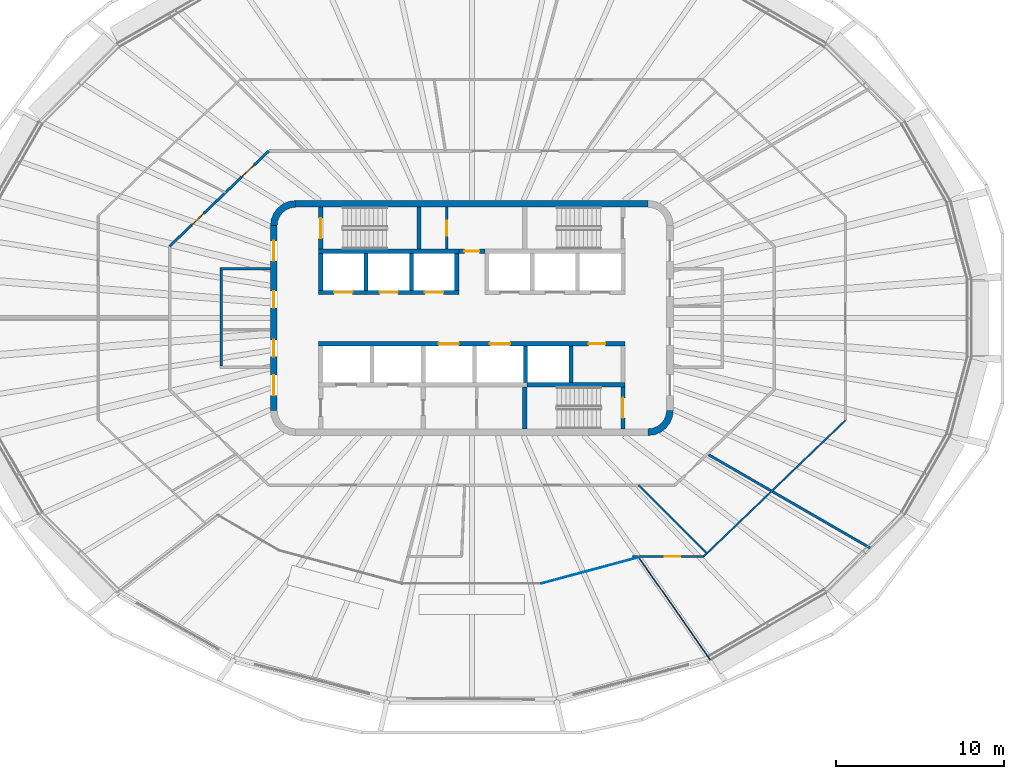
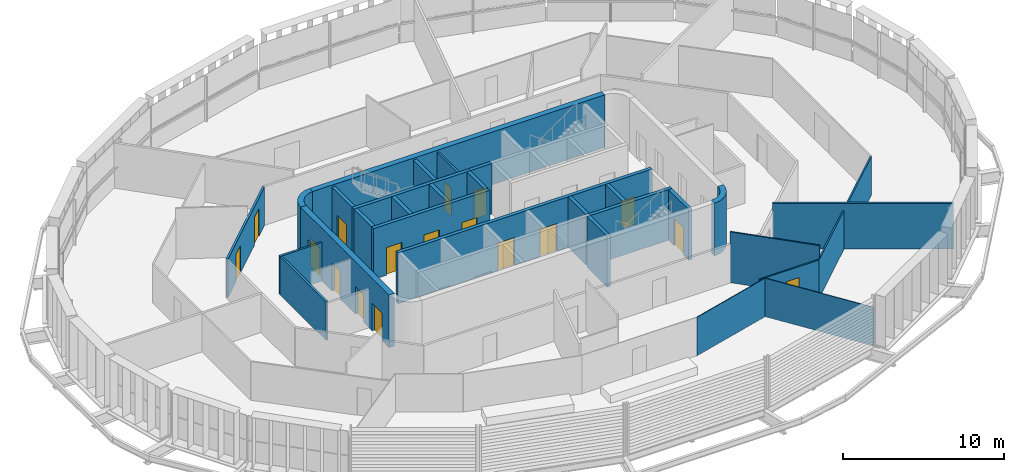
# One storey, part 11 of 20: 29 walls, 17 doors, 17 openings.
"""IFC4 building model written with IfcOpenShell, lengths in metres."""

from ifc_helpers import new_model, si_unit, direction, frame, frame_2d, origin, place, context, subcontext, project, spatial, polyline, rectangle, outline, extrude, material, layer, layer_set, type_object, element, fill, save


model = new_model("IFC4")

# Units and contexts
model_context = context("Model", 3, precision=1e-05, world=origin(), true_north=direction((0.0, 1.0)))
body_context = subcontext(model_context, "Body", "Model", "MODEL_VIEW")
ifc_project = project(units=[si_unit("LENGTHUNIT", "METRE"), si_unit("AREAUNIT", "SQUARE_METRE"), si_unit("VOLUMEUNIT", "CUBIC_METRE"), si_unit("PLANEANGLEUNIT", "RADIAN"), si_unit("MASSUNIT", "GRAM", prefix="KILO")], contexts=[model_context])

# Site, building, storey
site_placement = place(None, origin())
site = spatial("IfcSite", under=ifc_project, at=site_placement, CompositionType="ELEMENT")
building_placement = place(site_placement, origin())
building = spatial("IfcBuilding", under=site, at=building_placement, Name="Sahrelin Media Tower", CompositionType="ELEMENT")
storey_placement = place(building_placement, frame((0.0, 0.0, 271.0)))
storey = spatial("IfcBuildingStorey", under=building, at=storey_placement, Name="L59", CompositionType="ELEMENT", Elevation=271.0)

# Wall
ifc_material_1 = material(Name="Concrete C60/75", Category="concrete")
ifc_layer_1 = layer(ifc_material_1, 0.39990234375)
ifc_layer_set_1 = layer_set([ifc_layer_1], Name="Core wall 400")
wall_type_1 = type_object("IfcWallType", Name="Core wall 400", PredefinedType="SHEAR", material=ifc_layer_set_1)
wall_1_placement = place(storey_placement, frame((-10.5, 6.800048828125, 0.0), z_axis=(0.0, 0.0, 1.0), x_axis=(1.0, 0.0, 0.0)))
element("IfcWall", 1, at=wall_1_placement, inside=storey, type_object=wall_type_1, Name="Core wall N L59", PredefinedType="SHEAR", context=body_context, shape_type="SweptSolid", body=[
    extrude(rectangle(XDim=21.0, YDim=0.39990234375, at=frame_2d((10.5, 0.0))), origin(), (0.0, 0.0, 1.0), 4.0),
])

# Wall, openings, doors
wall_2_placement = place(storey_placement, frame((-11.800048828125, -5.5, 0.0), z_axis=(0.0, 0.0, 1.0), x_axis=(0.0, 1.0, 0.0)))
wall_2 = element("IfcWall", 2, at=wall_2_placement, inside=storey, type_object=wall_type_1, Name="Core wall W L59", PredefinedType="SHEAR", context=body_context, shape_type="SweptSolid", body=[
    extrude(rectangle(XDim=11.0, YDim=0.39990234375, at=frame_2d((5.5, 0.0))), origin(), (0.0, 0.0, 1.0), 4.0),
])
opening_1_placement = place(wall_2_placement, frame((3.199951171875, 0.0, 0.0)))
opening_1 = element("IfcOpeningElement", 3, at=opening_1_placement, cuts=wall_2, Name="Opening L59-D10", PredefinedType="OPENING", context=body_context, shape_type="SweptSolid", body=[
    extrude(rectangle(XDim=1.0, YDim=2.10009765625, at=frame_2d((0.5, 1.050048828125))), frame((0.0, 0.199951171875, 0.0), z_axis=(0.0, -1.0, 0.0), x_axis=(1.0, 0.0, 0.0)), (0.0, 0.0, 1.0), 0.39990234375),
])
opening_2_placement = place(wall_2_placement, frame((6.10009765625, 0.0, 0.0)))
opening_2 = element("IfcOpeningElement", 4, at=opening_2_placement, cuts=wall_2, Name="Opening L59-D11", PredefinedType="OPENING", context=body_context, shape_type="SweptSolid", body=[
    extrude(rectangle(XDim=1.0, YDim=2.10009765625, at=frame_2d((0.5, 1.050048828125))), frame((0.0, 0.199951171875, 0.0), z_axis=(0.0, -1.0, 0.0), x_axis=(1.0, 0.0, 0.0)), (0.0, 0.0, 1.0), 0.39990234375),
])
opening_3_placement = place(wall_2_placement, frame((0.89990234375, 0.0, 0.0)))
opening_3 = element("IfcOpeningElement", 5, at=opening_3_placement, cuts=wall_2, Name="Opening L59-D14", PredefinedType="OPENING", context=body_context, shape_type="SweptSolid", body=[
    extrude(rectangle(XDim=1.199951171875, YDim=2.10009765625, at=frame_2d((0.60009765625, 1.050048828125))), frame((0.0, 0.199951171875, 0.0), z_axis=(0.0, -1.0, 0.0), x_axis=(1.0, 0.0, 0.0)), (0.0, 0.0, 1.0), 0.39990234375),
])
opening_4_placement = place(wall_2_placement, frame((8.89990234375, 0.0, 0.0)))
opening_4 = element("IfcOpeningElement", 6, at=opening_4_placement, cuts=wall_2, Name="Opening L59-D15", PredefinedType="OPENING", context=body_context, shape_type="SweptSolid", body=[
    extrude(rectangle(XDim=1.199951171875, YDim=2.10009765625, at=frame_2d((0.60009765625, 1.050048828125))), frame((0.0, 0.199951171875, 0.0), z_axis=(0.0, -1.0, 0.0), x_axis=(1.0, 0.0, 0.0)), (0.0, 0.0, 1.0), 0.39990234375),
])
ifc_material_2 = material(Name="Steel fire door leaf", Category="steel")
door_type_1 = type_object("IfcDoorType", Name="Fire door 1000 x 2100 EI 60", OperationType="NOTDEFINED", PredefinedType="DOOR", material=ifc_material_2)
door_1_placement = place(opening_1_placement, origin())
door_1 = element("IfcDoor", 7, at=door_1_placement, inside=storey, type_object=door_type_1, Name="Core room door", OperationType="SINGLE_SWING_RIGHT", OverallHeight=2.10009765625, OverallWidth=1.0, PredefinedType="DOOR", context=body_context, shape_type="SweptSolid", body=[
    extrude(rectangle(XDim=1.0, YDim=2.10009765625, at=frame_2d((0.5, 1.050048828125))), frame((0.0, 0.02490234375, 0.0), z_axis=(0.0, -1.0, 0.0), x_axis=(1.0, 0.0, 0.0)), (0.0, 0.0, 1.0), 0.050048828125),
])
fill(opening_1, door_1)
door_2_placement = place(opening_2_placement, origin())
door_2 = element("IfcDoor", 8, at=door_2_placement, inside=storey, type_object=door_type_1, Name="Core room door", OperationType="SINGLE_SWING_RIGHT", OverallHeight=2.10009765625, OverallWidth=1.0, PredefinedType="DOOR", context=body_context, shape_type="SweptSolid", body=[
    extrude(rectangle(XDim=1.0, YDim=2.10009765625, at=frame_2d((0.5, 1.050048828125))), frame((0.0, 0.02490234375, 0.0), z_axis=(0.0, -1.0, 0.0), x_axis=(1.0, 0.0, 0.0)), (0.0, 0.0, 1.0), 0.050048828125),
])
fill(opening_2, door_2)
door_type_2 = type_object("IfcDoorType", Name="Lobby door 1200 x 2100 EI 60", OperationType="NOTDEFINED", PredefinedType="DOOR", material=ifc_material_2)
door_3_placement = place(opening_3_placement, origin())
door_3 = element("IfcDoor", 9, at=door_3_placement, inside=storey, type_object=door_type_2, Name="Lobby door", OperationType="SINGLE_SWING_LEFT", OverallHeight=2.10009765625, OverallWidth=1.199951171875, PredefinedType="DOOR", context=body_context, shape_type="SweptSolid", body=[
    extrude(rectangle(XDim=1.199951171875, YDim=2.10009765625, at=frame_2d((0.60009765625, 1.050048828125))), frame((0.0, 0.02490234375, 0.0), z_axis=(0.0, -1.0, 0.0), x_axis=(1.0, 0.0, 0.0)), (0.0, 0.0, 1.0), 0.050048828125),
])
fill(opening_3, door_3)
door_4_placement = place(opening_4_placement, origin())
door_4 = element("IfcDoor", 10, at=door_4_placement, inside=storey, type_object=door_type_2, Name="Lobby door", OperationType="SINGLE_SWING_LEFT", OverallHeight=2.10009765625, OverallWidth=1.199951171875, PredefinedType="DOOR", context=body_context, shape_type="SweptSolid", body=[
    extrude(rectangle(XDim=1.199951171875, YDim=2.10009765625, at=frame_2d((0.60009765625, 1.050048828125))), frame((0.0, 0.02490234375, 0.0), z_axis=(0.0, -1.0, 0.0), x_axis=(1.0, 0.0, 0.0)), (0.0, 0.0, 1.0), 0.050048828125),
])
fill(opening_4, door_4)

# Walls
placement = place(storey_placement, origin())
element("IfcWall", 11, at=placement, inside=storey, type_object=wall_type_1, Name="Core wall corner NW L59", PredefinedType="SHEAR", context=body_context, shape_type="SweptSolid", body=[
    extrude(outline(polyline([(-12.0, 5.5), (-11.596435546875, 5.5), (-11.55908203125, 5.78369140625), (-11.44970703125, 6.04833984375), (-11.275390625, 6.275390625), (-11.04833984375, 6.44970703125), (-10.78369140625, 6.55908203125), (-10.5, 6.596435546875), (-10.5, 7.0), (-10.88818359375, 6.948974609375), (-11.25, 6.799072265625), (-11.560791015625, 6.560791015625), (-11.799072265625, 6.25), (-11.948974609375, 5.88818359375), (-12.0, 5.5)])), origin(), (0.0, 0.0, 1.0), 4.0),
])
element("IfcWall", 12, at=placement, inside=storey, type_object=wall_type_1, Name="Core wall corner SE L59", PredefinedType="SHEAR", context=body_context, shape_type="SweptSolid", body=[
    extrude(outline(polyline([(12.0, -5.5), (11.596435546875, -5.5), (11.55908203125, -5.78369140625), (11.44970703125, -6.04833984375), (11.275390625, -6.275390625), (11.04833984375, -6.44970703125), (10.78369140625, -6.55908203125), (10.5, -6.596435546875), (10.5, -7.0), (10.88818359375, -6.948974609375), (11.25, -6.799072265625), (11.560791015625, -6.560791015625), (11.799072265625, -6.25), (11.948974609375, -5.88818359375), (12.0, -5.5)])), origin(), (0.0, 0.0, 1.0), 4.0),
])

# Wall, opening, door
ifc_material_3 = material(Name="Fire-rated gypsum board partition")
ifc_layer_2 = layer(ifc_material_3, 0.25)
ifc_layer_set_2 = layer_set([ifc_layer_2], Name="Fire-rated lobby wall 250")
wall_type_2 = type_object("IfcWallType", Name="Fire-rated lobby wall 250", PredefinedType="PARTITIONING", material=ifc_layer_set_2)
wall_5_placement = place(storey_placement, frame((-0.77490234375, 3.97509765625, 0.0), z_axis=(0.0, 0.0, 1.0), x_axis=(1.0, 0.0, 0.0)))
wall_5 = element("IfcWall", 13, at=wall_5_placement, inside=storey, type_object=wall_type_2, Name="Core lobby wall", PredefinedType="PARTITIONING", context=body_context, shape_type="SweptSolid", body=[
    extrude(rectangle(XDim=1.5498046875, YDim=0.25, at=frame_2d((0.77490234375, 0.0))), origin(), (0.0, 0.0, 1.0), 3.85009765625),
])
opening_5_placement = place(wall_5_placement, frame((0.324951171875, 0.0, 0.0)))
opening_5 = element("IfcOpeningElement", 14, at=opening_5_placement, cuts=wall_5, Name="Opening L59-D06", PredefinedType="OPENING", context=body_context, shape_type="SweptSolid", body=[
    extrude(rectangle(XDim=0.89990234375, YDim=2.10009765625, at=frame_2d((0.449951171875, 1.050048828125))), frame((0.0, 0.125, 0.0), z_axis=(0.0, -1.0, 0.0), x_axis=(1.0, 0.0, 0.0)), (0.0, 0.0, 1.0), 0.25),
])
door_type_3 = type_object("IfcDoorType", Name="Riser door 900 x 2100 EI 120", OperationType="NOTDEFINED", PredefinedType="DOOR", material=ifc_material_2)
door_5_placement = place(opening_5_placement, origin())
door_5 = element("IfcDoor", 15, at=door_5_placement, inside=storey, type_object=door_type_3, Name="Core room door", OperationType="SINGLE_SWING_LEFT", OverallHeight=2.10009765625, OverallWidth=0.89990234375, PredefinedType="DOOR", context=body_context, shape_type="SweptSolid", body=[
    extrude(rectangle(XDim=0.89990234375, YDim=2.10009765625, at=frame_2d((0.449951171875, 1.050048828125))), frame((0.0, 0.02490234375, 0.0), z_axis=(0.0, -1.0, 0.0), x_axis=(1.0, 0.0, 0.0)), (0.0, 0.0, 1.0), 0.050048828125),
])
fill(opening_5, door_5)

ifc_layer_3 = layer(ifc_material_3, 0.14990234375)
ifc_layer_set_3 = layer_set([ifc_layer_3], Name="Fire-rated partition 150")
wall_type_3 = type_object("IfcWallType", Name="Fire-rated partition 150", PredefinedType="PARTITIONING", material=ifc_layer_set_3)
wall_6_placement = place(storey_placement, frame((-1.5, 4.10009765625, 0.0), z_axis=(0.0, 0.0, 1.0), x_axis=(0.0, 1.0, 0.0)))
wall_6 = element("IfcWall", 16, at=wall_6_placement, inside=storey, type_object=wall_type_3, Name="Core room fire partition", PredefinedType="PARTITIONING", context=body_context, shape_type="SweptSolid", body=[
    extrude(rectangle(XDim=2.5, YDim=0.14990234375, at=frame_2d((1.25, 0.0))), origin(), (0.0, 0.0, 1.0), 3.85009765625),
])
opening_6_placement = place(wall_6_placement, frame((0.800048828125, 0.0, 0.0)))
opening_6 = element("IfcOpeningElement", 17, at=opening_6_placement, cuts=wall_6, Name="Opening L59-D07", PredefinedType="OPENING", context=body_context, shape_type="SweptSolid", body=[
    extrude(rectangle(XDim=0.89990234375, YDim=2.10009765625, at=frame_2d((0.449951171875, 1.050048828125))), frame((0.0, 0.074951171875, 0.0), z_axis=(0.0, -1.0, 0.0), x_axis=(1.0, 0.0, 0.0)), (0.0, 0.0, 1.0), 0.14990234375),
])
door_type_4 = type_object("IfcDoorType", Name="Fire door 900 x 2100 EI 60", OperationType="NOTDEFINED", PredefinedType="DOOR", material=ifc_material_2)
door_6_placement = place(opening_6_placement, origin())
door_6 = element("IfcDoor", 18, at=door_6_placement, inside=storey, type_object=door_type_4, Name="Core room door", OperationType="SINGLE_SWING_LEFT", OverallHeight=2.10009765625, OverallWidth=0.89990234375, PredefinedType="DOOR", context=body_context, shape_type="SweptSolid", body=[
    extrude(rectangle(XDim=0.89990234375, YDim=2.10009765625, at=frame_2d((0.449951171875, 1.050048828125))), frame((0.0, 0.02490234375, 0.0), z_axis=(0.0, -1.0, 0.0), x_axis=(1.0, 0.0, 0.0)), (0.0, 0.0, 1.0), 0.050048828125),
])
fill(opening_6, door_6)

# Walls
wall_7_placement = place(storey_placement, frame((-14.925048828125, -2.85009765625, 0.0), z_axis=(0.0, 0.0, 1.0), x_axis=(0.0, 1.0, 0.0)))
element("IfcWall", 19, at=wall_7_placement, inside=storey, type_object=wall_type_3, Name="Core room fire partition", PredefinedType="PARTITIONING", context=body_context, shape_type="SweptSolid", body=[
    extrude(rectangle(XDim=5.7001953125, YDim=0.14990234375, at=frame_2d((2.85009765625, 0.0))), origin(), (0.0, 0.0, 1.0), 2.918212890625),
])
wall_8_placement = place(storey_placement, frame((-15.0, 2.925048828125, 0.0), z_axis=(0.0, 0.0, 1.0), x_axis=(1.0, 0.0, 0.0)))
element("IfcWall", 20, at=wall_8_placement, inside=storey, type_object=wall_type_3, Name="Core room fire partition", PredefinedType="PARTITIONING", context=body_context, shape_type="SweptSolid", body=[
    extrude(rectangle(XDim=3.0, YDim=0.14990234375, at=frame_2d((1.5, 0.0))), origin(), (0.0, 0.0, 1.0), 2.918212890625),
])
wall_9_placement = place(storey_placement, frame((14.02392578125, -8.095947265625, 0.0), z_axis=(0.0, 0.0, 1.0), x_axis=(0.866020158842, -0.500009084397, 0.0)))
element("IfcWall", 21, at=wall_9_placement, inside=storey, type_object=wall_type_3, Name="Wall", PredefinedType="PARTITIONING", context=body_context, shape_type="SweptSolid", body=[
    extrude(rectangle(XDim=11.256103515625, YDim=0.14990234375, at=frame_2d((5.6279296875, 0.0))), origin(), (0.0, 0.0, 1.0), 3.47509765625),
])

# Wall, openings, doors
wall_10_placement = place(storey_placement, frame((-18.0, 4.278076171875, 0.0), z_axis=(0.0, 0.0, 1.0), x_axis=(0.721231770915, 0.692693823145, 0.0)))
wall_10 = element("IfcWall", 22, at=wall_10_placement, inside=storey, type_object=wall_type_3, Name="Wall", PredefinedType="PARTITIONING", context=body_context, shape_type="SweptSolid", body=[
    extrude(rectangle(XDim=8.18701171875, YDim=0.14990234375, at=frame_2d((4.093505859375, 0.0))), origin(), (0.0, 0.0, 1.0), 2.918212890625),
])
opening_7_placement = place(wall_10_placement, frame((5.9541015625, 0.0, 0.0)))
opening_7 = element("IfcOpeningElement", 23, at=opening_7_placement, cuts=wall_10, Name="Opening L59-D34", PredefinedType="OPENING", context=body_context, shape_type="SweptSolid", body=[
    extrude(rectangle(XDim=1.0, YDim=2.10009765625, at=frame_2d((0.5, 1.050048828125))), frame((0.0, 0.074951171875, 0.0), z_axis=(0.0, -1.0, 0.0), x_axis=(1.0, 0.0, 0.0)), (0.0, 0.0, 1.0), 0.14990234375),
])
opening_8_placement = place(wall_10_placement, frame((1.807373046875, 0.0, 0.0)))
opening_8 = element("IfcOpeningElement", 24, at=opening_8_placement, cuts=wall_10, Name="Opening L59-D35", PredefinedType="OPENING", context=body_context, shape_type="SweptSolid", body=[
    extrude(rectangle(XDim=1.0, YDim=2.10009765625, at=frame_2d((0.5, 1.050048828125))), frame((0.0, 0.074951171875, 0.0), z_axis=(0.0, -1.0, 0.0), x_axis=(1.0, 0.0, 0.0)), (0.0, 0.0, 1.0), 0.14990234375),
])
door_7_placement = place(opening_7_placement, origin())
door_7 = element("IfcDoor", 25, at=door_7_placement, inside=storey, type_object=door_type_1, Name="Fire door", OperationType="SINGLE_SWING_RIGHT", OverallHeight=2.10009765625, OverallWidth=1.0, PredefinedType="DOOR", context=body_context, shape_type="SweptSolid", body=[
    extrude(rectangle(XDim=1.0, YDim=2.10009765625, at=frame_2d((0.5, 1.050048828125))), frame((0.0, 0.02490234375, 0.0), z_axis=(0.0, -1.0, 0.0), x_axis=(1.0, 0.0, 0.0)), (0.0, 0.0, 1.0), 0.050048828125),
])
fill(opening_7, door_7)
door_8_placement = place(opening_8_placement, origin())
door_8 = element("IfcDoor", 26, at=door_8_placement, inside=storey, type_object=door_type_1, Name="Fire door", OperationType="SINGLE_SWING_RIGHT", OverallHeight=2.10009765625, OverallWidth=1.0, PredefinedType="DOOR", context=body_context, shape_type="SweptSolid", body=[
    extrude(rectangle(XDim=1.0, YDim=2.10009765625, at=frame_2d((0.5, 1.050048828125))), frame((0.0, 0.02490234375, 0.0), z_axis=(0.0, -1.0, 0.0), x_axis=(1.0, 0.0, 0.0)), (0.0, 0.0, 1.0), 0.050048828125),
])
fill(opening_8, door_8)

# Walls
ifc_material_4 = material(Name="Clear glass", Category="glass")
ifc_layer_4 = layer(ifc_material_4, 0.050048828125)
ifc_layer_set_4 = layer_set([ifc_layer_4], Name="Glazed partition 50")
wall_type_4 = type_object("IfcWallType", Name="Glazed partition 50", PredefinedType="PARTITIONING", material=ifc_layer_set_4)
wall_11_placement = place(storey_placement, frame((9.93994140625, -14.2548828125, 0.0), z_axis=(0.0, 0.0, 1.0), x_axis=(0.571993311717, -0.820258283318, 0.0)))
element("IfcWall", 27, at=wall_11_placement, inside=storey, type_object=wall_type_4, Name="Wall", PredefinedType="PARTITIONING", context=body_context, shape_type="SweptSolid", body=[
    extrude(rectangle(XDim=7.4443359375, YDim=0.050048828125, at=frame_2d((3.72216796875, 0.0))), origin(), (0.0, 0.0, 1.0), 2.927001953125),
])
wall_12_placement = place(storey_placement, frame((4.12890625, -15.81201171875, 0.0), z_axis=(0.0, 0.0, 1.0), x_axis=(0.965726557123, 0.259561585887, 0.0)))
element("IfcWall", 28, at=wall_12_placement, inside=storey, type_object=wall_type_4, Name="Wall", PredefinedType="PARTITIONING", context=body_context, shape_type="SweptSolid", body=[
    extrude(rectangle(XDim=6.01611328125, YDim=0.050048828125, at=frame_2d((3.008056640625, 0.0))), origin(), (0.0, 0.0, 1.0), 2.927001953125),
])

# Wall, openings, doors
ifc_layer_5 = layer(ifc_material_1, 0.25)
ifc_layer_set_5 = layer_set([ifc_layer_5], Name="Lift shaft wall 250")
wall_type_5 = type_object("IfcWallType", Name="Lift shaft wall 250", PredefinedType="SOLIDWALL", material=ifc_layer_set_5)
wall_13_placement = place(storey_placement, frame((-9.125, 1.52490234375, 0.0), z_axis=(0.0, 0.0, 1.0), x_axis=(1.0, 0.0, 0.0)))
wall_13 = element("IfcWall", 29, at=wall_13_placement, inside=storey, type_object=wall_type_5, Name="Lift shaft wall", PredefinedType="SOLIDWALL", context=body_context, shape_type="SweptSolid", body=[
    extrude(rectangle(XDim=8.35009765625, YDim=0.25, at=frame_2d((4.175048828125, 0.0))), origin(), (0.0, 0.0, 1.0), 3.85009765625),
])
opening_9_placement = place(wall_13_placement, frame((0.925048828125, 0.0, 0.0)))
opening_9 = element("IfcOpeningElement", 30, at=opening_9_placement, cuts=wall_13, Name="Opening L59-LD-HR1", PredefinedType="OPENING", context=body_context, shape_type="SweptSolid", body=[
    extrude(rectangle(XDim=1.10009765625, YDim=2.10009765625, at=frame_2d((0.550048828125, 1.050048828125))), frame((0.0, 0.125, 0.0), z_axis=(0.0, -1.0, 0.0), x_axis=(1.0, 0.0, 0.0)), (0.0, 0.0, 1.0), 0.25),
])
opening_10_placement = place(wall_13_placement, frame((3.625, 0.0, 0.0)))
opening_10 = element("IfcOpeningElement", 31, at=opening_10_placement, cuts=wall_13, Name="Opening L59-LD-HR2", PredefinedType="OPENING", context=body_context, shape_type="SweptSolid", body=[
    extrude(rectangle(XDim=1.10009765625, YDim=2.10009765625, at=frame_2d((0.550048828125, 1.050048828125))), frame((0.0, 0.125, 0.0), z_axis=(0.0, -1.0, 0.0), x_axis=(1.0, 0.0, 0.0)), (0.0, 0.0, 1.0), 0.25),
])
opening_11_placement = place(wall_13_placement, frame((6.324951171875, 0.0, 0.0)))
opening_11 = element("IfcOpeningElement", 32, at=opening_11_placement, cuts=wall_13, Name="Opening L59-LD-HR3", PredefinedType="OPENING", context=body_context, shape_type="SweptSolid", body=[
    extrude(rectangle(XDim=1.10009765625, YDim=2.10009765625, at=frame_2d((0.550048828125, 1.050048828125))), frame((0.0, 0.125, 0.0), z_axis=(0.0, -1.0, 0.0), x_axis=(1.0, 0.0, 0.0)), (0.0, 0.0, 1.0), 0.25),
])
ifc_material_5 = material(Name="Stainless steel", Category="steel")
door_type_5 = type_object("IfcDoorType", Name="Lift landing door 1100 x 2100 EI 120", OperationType="DOUBLE_DOOR_SLIDING", PredefinedType="DOOR", material=ifc_material_5)
door_9_placement = place(opening_9_placement, origin())
door_9 = element("IfcDoor", 33, at=door_9_placement, inside=storey, type_object=door_type_5, Name="Lift landing door HR1", OperationType="DOUBLE_DOOR_SLIDING", OverallHeight=2.10009765625, OverallWidth=1.10009765625, PredefinedType="DOOR", context=body_context, shape_type="SweptSolid", body=[
    extrude(rectangle(XDim=1.10009765625, YDim=2.10009765625, at=frame_2d((0.550048828125, 1.050048828125))), frame((0.0, 0.02490234375, 0.0), z_axis=(0.0, -1.0, 0.0), x_axis=(1.0, 0.0, 0.0)), (0.0, 0.0, 1.0), 0.050048828125),
])
fill(opening_9, door_9)
door_10_placement = place(opening_10_placement, origin())
door_10 = element("IfcDoor", 34, at=door_10_placement, inside=storey, type_object=door_type_5, Name="Lift landing door HR2", OperationType="DOUBLE_DOOR_SLIDING", OverallHeight=2.10009765625, OverallWidth=1.10009765625, PredefinedType="DOOR", context=body_context, shape_type="SweptSolid", body=[
    extrude(rectangle(XDim=1.10009765625, YDim=2.10009765625, at=frame_2d((0.550048828125, 1.050048828125))), frame((0.0, 0.02490234375, 0.0), z_axis=(0.0, -1.0, 0.0), x_axis=(1.0, 0.0, 0.0)), (0.0, 0.0, 1.0), 0.050048828125),
])
fill(opening_10, door_10)
door_11_placement = place(opening_11_placement, origin())
door_11 = element("IfcDoor", 35, at=door_11_placement, inside=storey, type_object=door_type_5, Name="Lift landing door HR3", OperationType="DOUBLE_DOOR_SLIDING", OverallHeight=2.10009765625, OverallWidth=1.10009765625, PredefinedType="DOOR", context=body_context, shape_type="SweptSolid", body=[
    extrude(rectangle(XDim=1.10009765625, YDim=2.10009765625, at=frame_2d((0.550048828125, 1.050048828125))), frame((0.0, 0.02490234375, 0.0), z_axis=(0.0, -1.0, 0.0), x_axis=(1.0, 0.0, 0.0)), (0.0, 0.0, 1.0), 0.050048828125),
])
fill(opening_11, door_11)

# Walls
wall_14_placement = place(storey_placement, frame((-9.125, 3.97509765625, 0.0), z_axis=(0.0, 0.0, 1.0), x_axis=(1.0, 0.0, 0.0)))
element("IfcWall", 36, at=wall_14_placement, inside=storey, type_object=wall_type_5, Name="Lift shaft wall", PredefinedType="SOLIDWALL", context=body_context, shape_type="SweptSolid", body=[
    extrude(rectangle(XDim=8.35009765625, YDim=0.25, at=frame_2d((4.175048828125, 0.0))), origin(), (0.0, 0.0, 1.0), 3.85009765625),
])
for number, where, z_axis, x_axis, name in (
    (37, (-9.0, 1.64990234375, 0.0), (0.0, 0.0, 1.0), (0.0, 1.0, 0.0), "Lift shaft wall"),
    (38, (-6.300048828125, 1.64990234375, 0.0), (0.0, 0.0, 1.0), (0.0, 1.0, 0.0), "Lift shaft wall"),
    (39, (-3.60009765625, 1.64990234375, 0.0), (0.0, 0.0, 1.0), (0.0, 1.0, 0.0), "Lift shaft wall"),
    (40, (-0.89990234375, 1.64990234375, 0.0), (0.0, 0.0, 1.0), (0.0, 1.0, 0.0), "Lift shaft wall"),
):
    element("IfcWall", number, at=place(storey_placement, frame(where, z_axis=z_axis, x_axis=x_axis)), inside=storey, type_object=wall_type_5, Name=name, PredefinedType="SOLIDWALL", context=body_context, shape_type="SweptSolid", body=[
        extrude(rectangle(XDim=2.2001953125, YDim=0.25, at=frame_2d((1.10009765625, 0.0))), origin(), (0.0, 0.0, 1.0), 3.85009765625),
    ])

# Wall, openings, doors
wall_15_placement = place(storey_placement, frame((-9.125, -1.52490234375, 0.0), z_axis=(0.0, 0.0, 1.0), x_axis=(1.0, 0.0, 0.0)))
wall_15 = element("IfcWall", 41, at=wall_15_placement, inside=storey, type_object=wall_type_5, Name="Lift shaft wall", PredefinedType="SOLIDWALL", context=body_context, shape_type="SweptSolid", body=[
    extrude(rectangle(XDim=18.25, YDim=0.25, at=frame_2d((9.125, 0.0))), origin(), (0.0, 0.0, 1.0), 3.85009765625),
])
opening_12_placement = place(wall_15_placement, frame((7.14990234375, 0.0, 0.0)))
opening_12 = element("IfcOpeningElement", 42, at=opening_12_placement, cuts=wall_15, Name="Opening L59-LD-SV1", PredefinedType="OPENING", context=body_context, shape_type="SweptSolid", body=[
    extrude(rectangle(XDim=1.199951171875, YDim=2.10009765625, at=frame_2d((0.60009765625, 1.050048828125))), frame((0.0, 0.125, 0.0), z_axis=(0.0, -1.0, 0.0), x_axis=(1.0, 0.0, 0.0)), (0.0, 0.0, 1.0), 0.25),
])
opening_13_placement = place(wall_15_placement, frame((10.199951171875, 0.0, 0.0)))
opening_13 = element("IfcOpeningElement", 43, at=opening_13_placement, cuts=wall_15, Name="Opening L59-LD-SV2", PredefinedType="OPENING", context=body_context, shape_type="SweptSolid", body=[
    extrude(rectangle(XDim=1.199951171875, YDim=2.10009765625, at=frame_2d((0.60009765625, 1.050048828125))), frame((0.0, 0.125, 0.0), z_axis=(0.0, -1.0, 0.0), x_axis=(1.0, 0.0, 0.0)), (0.0, 0.0, 1.0), 0.25),
])
opening_14_placement = place(wall_15_placement, frame((16.074951171875, 0.0, 0.0)))
opening_14 = element("IfcOpeningElement", 44, at=opening_14_placement, cuts=wall_15, Name="Opening L59-D09", PredefinedType="OPENING", context=body_context, shape_type="SweptSolid", body=[
    extrude(rectangle(XDim=1.0, YDim=2.10009765625, at=frame_2d((0.5, 1.050048828125))), frame((0.0, 0.125, 0.0), z_axis=(0.0, -1.0, 0.0), x_axis=(1.0, 0.0, 0.0)), (0.0, 0.0, 1.0), 0.25),
])
door_12_placement = place(opening_14_placement, origin())
door_12 = element("IfcDoor", 45, at=door_12_placement, inside=storey, type_object=door_type_1, Name="Core room door", OperationType="SINGLE_SWING_RIGHT", OverallHeight=2.10009765625, OverallWidth=1.0, PredefinedType="DOOR", context=body_context, shape_type="SweptSolid", body=[
    extrude(rectangle(XDim=1.0, YDim=2.10009765625, at=frame_2d((0.5, 1.050048828125))), frame((0.0, 0.02490234375, 0.0), z_axis=(0.0, -1.0, 0.0), x_axis=(1.0, 0.0, 0.0)), (0.0, 0.0, 1.0), 0.050048828125),
])
fill(opening_14, door_12)
door_type_6 = type_object("IfcDoorType", Name="Lift landing door 1200 x 2100 EI 120", OperationType="DOUBLE_DOOR_SLIDING", PredefinedType="DOOR", material=ifc_material_5)
door_13_placement = place(opening_12_placement, origin())
door_13 = element("IfcDoor", 46, at=door_13_placement, inside=storey, type_object=door_type_6, Name="Lift landing door SV1", OperationType="DOUBLE_DOOR_SLIDING", OverallHeight=2.10009765625, OverallWidth=1.199951171875, PredefinedType="DOOR", context=body_context, shape_type="SweptSolid", body=[
    extrude(rectangle(XDim=1.199951171875, YDim=2.10009765625, at=frame_2d((0.60009765625, 1.050048828125))), frame((0.0, 0.02490234375, 0.0), z_axis=(0.0, -1.0, 0.0), x_axis=(1.0, 0.0, 0.0)), (0.0, 0.0, 1.0), 0.050048828125),
])
fill(opening_12, door_13)
door_14_placement = place(opening_13_placement, origin())
door_14 = element("IfcDoor", 47, at=door_14_placement, inside=storey, type_object=door_type_6, Name="Lift landing door SV2", OperationType="DOUBLE_DOOR_SLIDING", OverallHeight=2.10009765625, OverallWidth=1.199951171875, PredefinedType="DOOR", context=body_context, shape_type="SweptSolid", body=[
    extrude(rectangle(XDim=1.199951171875, YDim=2.10009765625, at=frame_2d((0.60009765625, 1.050048828125))), frame((0.0, 0.02490234375, 0.0), z_axis=(0.0, -1.0, 0.0), x_axis=(1.0, 0.0, 0.0)), (0.0, 0.0, 1.0), 0.050048828125),
])
fill(opening_13, door_14)

# Walls
wall_16_placement = place(storey_placement, frame((3.27490234375, -3.97509765625, 0.0), z_axis=(0.0, 0.0, 1.0), x_axis=(1.0, 0.0, 0.0)))
element("IfcWall", 48, at=wall_16_placement, inside=storey, type_object=wall_type_5, Name="Lift shaft wall", PredefinedType="SOLIDWALL", context=body_context, shape_type="SweptSolid", body=[
    extrude(rectangle(XDim=5.85009765625, YDim=0.25, at=frame_2d((2.925048828125, 0.0))), origin(), (0.0, 0.0, 1.0), 3.85009765625),
])
for number, where, z_axis, x_axis, name in (
    (49, (3.199951171875, -3.85009765625, 0.0), (0.0, 0.0, 1.0), (0.0, 1.0, 0.0), "Lift shaft wall"),
    (50, (5.89990234375, -3.85009765625, 0.0), (0.0, 0.0, 1.0), (0.0, 1.0, 0.0), "Lift shaft wall"),
):
    element("IfcWall", number, at=place(storey_placement, frame(where, z_axis=z_axis, x_axis=x_axis)), inside=storey, type_object=wall_type_5, Name=name, PredefinedType="SOLIDWALL", context=body_context, shape_type="SweptSolid", body=[
        extrude(rectangle(XDim=2.2001953125, YDim=0.25, at=frame_2d((1.10009765625, 0.0))), origin(), (0.0, 0.0, 1.0), 3.85009765625),
    ])
ifc_material_6 = material(Name="Gypsum board partition")
ifc_layer_6 = layer(ifc_material_6, 0.10009765625)
ifc_layer_set_6 = layer_set([ifc_layer_6], Name="Partition 100")
wall_type_6 = type_object("IfcWallType", Name="Partition 100", PredefinedType="PARTITIONING", material=ifc_layer_set_6)
wall_17_placement = place(storey_placement, frame((9.931884765625, -9.948974609375, 0.0), z_axis=(0.0, 0.0, 1.0), x_axis=(0.70649080711, -0.707722219143, 0.0)))
element("IfcWall", 51, at=wall_17_placement, inside=storey, type_object=wall_type_6, Name="Wall", PredefinedType="PARTITIONING", context=body_context, shape_type="SweptSolid", body=[
    extrude(rectangle(XDim=5.74951171875, YDim=0.10009765625, at=frame_2d((2.874755859375, 0.0))), origin(), (0.0, 0.0, 1.0), 3.85009765625),
])

# Wall, opening, door
wall_18_placement = place(storey_placement, frame((9.583984375, -14.198974609375, 0.0), z_axis=(0.0, 0.0, 1.0), x_axis=(1.0, 0.0, 0.0)))
wall_18 = element("IfcWall", 52, at=wall_18_placement, inside=storey, type_object=wall_type_6, Name="Wall", PredefinedType="PARTITIONING", context=body_context, shape_type="SweptSolid", body=[
    extrude(rectangle(XDim=4.220947265625, YDim=0.10009765625, at=frame_2d((2.1103515625, 0.0))), origin(), (0.0, 0.0, 1.0), 2.927001953125),
])
opening_15_placement = place(wall_18_placement, frame((1.9130859375, 0.0, 0.0)))
opening_15 = element("IfcOpeningElement", 53, at=opening_15_placement, cuts=wall_18, Name="Opening L59-D24", PredefinedType="OPENING", context=body_context, shape_type="SweptSolid", body=[
    extrude(rectangle(XDim=0.89990234375, YDim=2.10009765625, at=frame_2d((0.449951171875, 1.050048828125))), frame((0.0, 0.050048828125, 0.0), z_axis=(0.0, -1.0, 0.0), x_axis=(1.0, 0.0, 0.0)), (0.0, 0.0, 1.0), 0.10009765625),
])
ifc_material_7 = material(Name="Timber door leaf", Category="wood")
door_type_7 = type_object("IfcDoorType", Name="Single door 900 x 2100", OperationType="NOTDEFINED", PredefinedType="DOOR", material=ifc_material_7)
door_15_placement = place(opening_15_placement, origin())
door_15 = element("IfcDoor", 54, at=door_15_placement, inside=storey, type_object=door_type_7, Name="Single door", OperationType="SINGLE_SWING_RIGHT", OverallHeight=2.10009765625, OverallWidth=0.89990234375, PredefinedType="DOOR", context=body_context, shape_type="SweptSolid", body=[
    extrude(rectangle(XDim=0.89990234375, YDim=2.10009765625, at=frame_2d((0.449951171875, 1.050048828125))), frame((0.0, 0.02490234375, 0.0), z_axis=(0.0, -1.0, 0.0), x_axis=(1.0, 0.0, 0.0)), (0.0, 0.0, 1.0), 0.050048828125),
])
fill(opening_15, door_15)

# Wall
wall_19_placement = place(storey_placement, frame((13.804931640625, -14.198974609375, 0.0), z_axis=(0.0, 0.0, 1.0), x_axis=(0.721419404794, 0.692498406053, 0.0)))
element("IfcWall", 55, at=wall_19_placement, inside=storey, type_object=wall_type_6, Name="Wall", PredefinedType="PARTITIONING", context=body_context, shape_type="SweptSolid", body=[
    extrude(rectangle(XDim=11.70849609375, YDim=0.10009765625, at=frame_2d((5.854248046875, 0.0))), origin(), (0.0, 0.0, 1.0), 2.927001953125),
])

# Wall, opening, door
ifc_layer_7 = layer(ifc_material_1, 0.25)
ifc_layer_set_7 = layer_set([ifc_layer_7], Name="Stair enclosure wall 250")
wall_type_7 = type_object("IfcWallType", Name="Stair enclosure wall 250", PredefinedType="SOLIDWALL", material=ifc_layer_set_7)
wall_20_placement = place(storey_placement, frame((-9.0, 4.10009765625, 0.0), z_axis=(0.0, 0.0, 1.0), x_axis=(0.0, 1.0, 0.0)))
wall_20 = element("IfcWall", 56, at=wall_20_placement, inside=storey, type_object=wall_type_7, Name="Stair enclosure wall", PredefinedType="SOLIDWALL", context=body_context, shape_type="SweptSolid", body=[
    extrude(rectangle(XDim=2.5, YDim=0.25, at=frame_2d((1.25, 0.0))), origin(), (0.0, 0.0, 1.0), 3.85009765625),
])
opening_16_placement = place(wall_20_placement, frame((0.64990234375, 0.0, 0.0)))
opening_16 = element("IfcOpeningElement", 57, at=opening_16_placement, cuts=wall_20, Name="Opening L59-D01", PredefinedType="OPENING", context=body_context, shape_type="SweptSolid", body=[
    extrude(rectangle(XDim=1.199951171875, YDim=2.10009765625, at=frame_2d((0.60009765625, 1.050048828125))), frame((0.0, 0.125, 0.0), z_axis=(0.0, -1.0, 0.0), x_axis=(1.0, 0.0, 0.0)), (0.0, 0.0, 1.0), 0.25),
])
door_type_8 = type_object("IfcDoorType", Name="Stair door 1200 x 2100 EI 120", OperationType="NOTDEFINED", PredefinedType="DOOR", material=ifc_material_2)
door_16_placement = place(opening_16_placement, origin())
door_16 = element("IfcDoor", 58, at=door_16_placement, inside=storey, type_object=door_type_8, Name="Stair door ST1", OperationType="SINGLE_SWING_RIGHT", OverallHeight=2.10009765625, OverallWidth=1.199951171875, PredefinedType="DOOR", context=body_context, shape_type="SweptSolid", body=[
    extrude(rectangle(XDim=1.199951171875, YDim=2.10009765625, at=frame_2d((0.60009765625, 1.050048828125))), frame((0.0, 0.02490234375, 0.0), z_axis=(0.0, -1.0, 0.0), x_axis=(1.0, 0.0, 0.0)), (0.0, 0.0, 1.0), 0.050048828125),
])
fill(opening_16, door_16)

wall_21_placement = place(storey_placement, frame((9.0, -6.60009765625, 0.0), z_axis=(0.0, 0.0, 1.0), x_axis=(0.0, 1.0, 0.0)))
wall_21 = element("IfcWall", 59, at=wall_21_placement, inside=storey, type_object=wall_type_7, Name="Stair enclosure wall", PredefinedType="SOLIDWALL", context=body_context, shape_type="SweptSolid", body=[
    extrude(rectangle(XDim=2.5, YDim=0.25, at=frame_2d((1.25, 0.0))), origin(), (0.0, 0.0, 1.0), 3.85009765625),
])
opening_17_placement = place(wall_21_placement, frame((0.64990234375, 0.0, 0.0)))
opening_17 = element("IfcOpeningElement", 60, at=opening_17_placement, cuts=wall_21, Name="Opening L59-D03", PredefinedType="OPENING", context=body_context, shape_type="SweptSolid", body=[
    extrude(rectangle(XDim=1.199951171875, YDim=2.10009765625, at=frame_2d((0.60009765625, 1.050048828125))), frame((0.0, 0.125, 0.0), z_axis=(0.0, -1.0, 0.0), x_axis=(1.0, 0.0, 0.0)), (0.0, 0.0, 1.0), 0.25),
])
door_17_placement = place(opening_17_placement, origin())
door_17 = element("IfcDoor", 61, at=door_17_placement, inside=storey, type_object=door_type_8, Name="Stair door ST2", OperationType="SINGLE_SWING_LEFT", OverallHeight=2.10009765625, OverallWidth=1.199951171875, PredefinedType="DOOR", context=body_context, shape_type="SweptSolid", body=[
    extrude(rectangle(XDim=1.199951171875, YDim=2.10009765625, at=frame_2d((0.60009765625, 1.050048828125))), frame((0.0, 0.02490234375, 0.0), z_axis=(0.0, -1.0, 0.0), x_axis=(1.0, 0.0, 0.0)), (0.0, 0.0, 1.0), 0.050048828125),
])
fill(opening_17, door_17)

# Walls
for number, where, z_axis, x_axis, name in (
    (62, (-3.14990234375, 4.10009765625, 0.0), (0.0, 0.0, 1.0), (0.0, 1.0, 0.0), "Stair enclosure wall"),
    (63, (3.14990234375, -6.60009765625, 0.0), (0.0, 0.0, 1.0), (0.0, 1.0, 0.0), "Stair enclosure wall"),
):
    element("IfcWall", number, at=place(storey_placement, frame(where, z_axis=z_axis, x_axis=x_axis)), inside=storey, type_object=wall_type_7, Name=name, PredefinedType="SOLIDWALL", context=body_context, shape_type="SweptSolid", body=[
        extrude(rectangle(XDim=2.5, YDim=0.25, at=frame_2d((1.25, 0.0))), origin(), (0.0, 0.0, 1.0), 3.85009765625),
    ])

save(model, "model.ifc")
